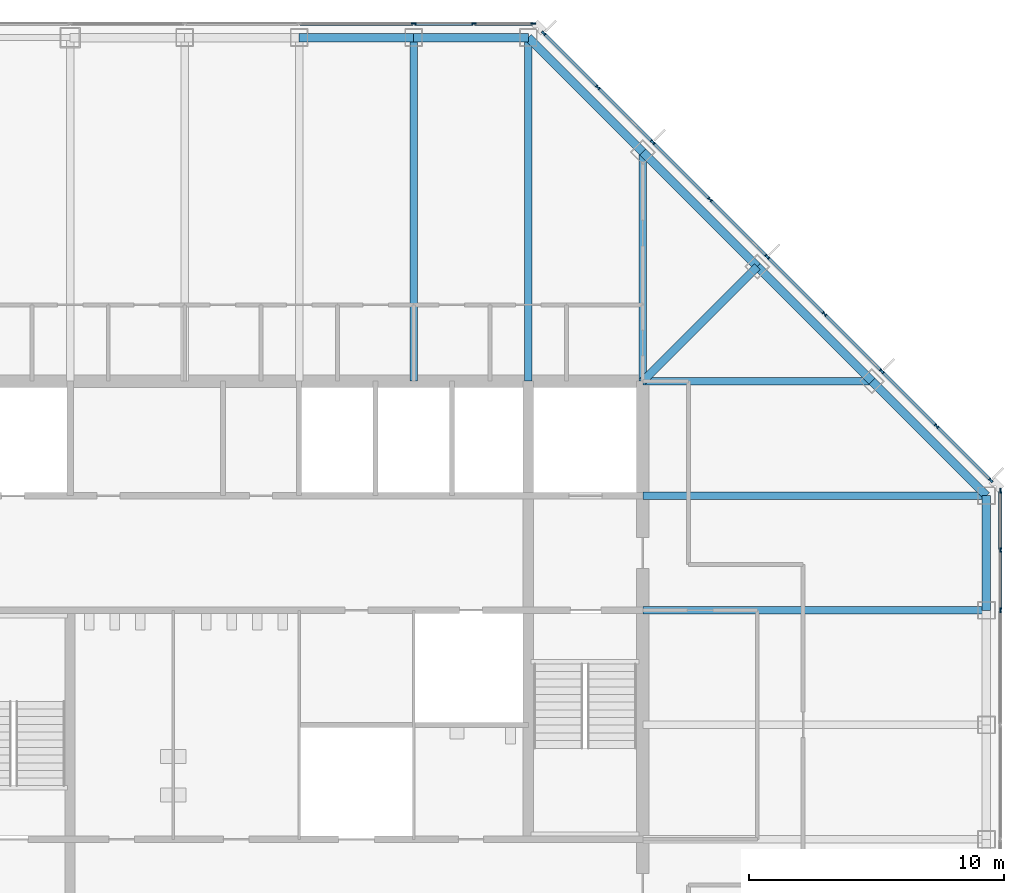
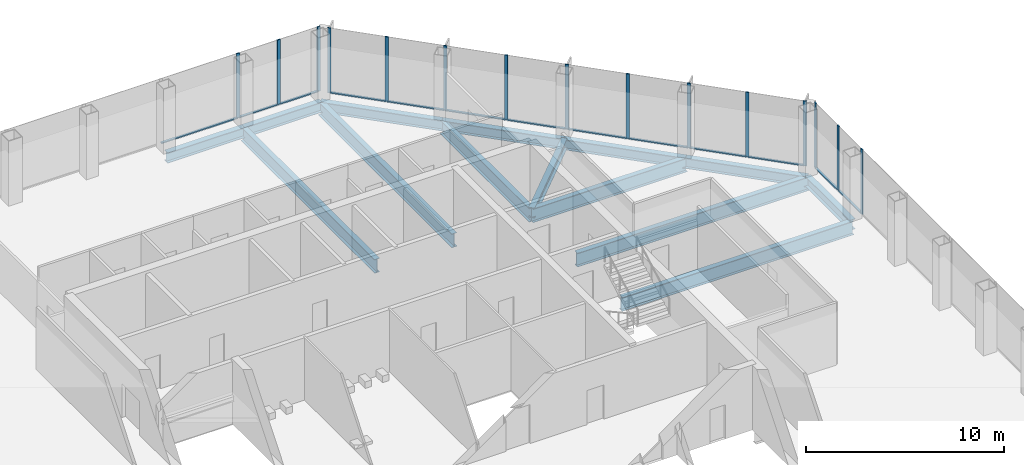
# One storey, part 6 of 12: 28 members, 14 beams, 3 elements without a shape of their own.
"""IFC4 building model written with IfcOpenShell, lengths in metres."""

from ifc_helpers import new_model, si_unit, direction, frame, origin, origin_2d, place, context, subcontext, project, spatial, rectangle, i_section, extrude, material, material_profile, profile_set, type_object, element, aggregate, save


model = new_model("IFC4")

# Units and contexts
model_context = context("Model", 3, precision=1e-05, world=origin(), true_north=direction((0.0, 1.0)))
body_context = subcontext(model_context, "Body", "Model", "MODEL_VIEW")
ifc_project = project(units=[si_unit("LENGTHUNIT", "METRE"), si_unit("AREAUNIT", "SQUARE_METRE"), si_unit("VOLUMEUNIT", "CUBIC_METRE"), si_unit("PLANEANGLEUNIT", "RADIAN"), si_unit("MASSUNIT", "GRAM", prefix="KILO")], contexts=[model_context])

# Site, building, storey
site_placement = place(None, origin())
site = spatial("IfcSite", under=ifc_project, at=site_placement, CompositionType="ELEMENT")
building_placement = place(site_placement, origin())
building = spatial("IfcBuilding", under=site, at=building_placement, Name="Corais Broadcast Tower", CompositionType="ELEMENT")
storey_placement = place(building_placement, frame((0.0, 0.0, 163.60009765625)))
storey = spatial("IfcBuildingStorey", under=building, at=storey_placement, Name="L37", CompositionType="ELEMENT", Elevation=163.60009765625)

# Beams
ifc_material_1 = material(Name="Steel ASTM A572 Grade 50", Category="steel")
ifc_material_profile_1 = material_profile(ifc_material_1, i_section(OverallWidth=0.323974609375, OverallDepth=0.611083984375, WebThickness=0.0126953125, FlangeThickness=0.01904296875, at=origin_2d()), Name="W610x155")
ifc_profile_set_1 = profile_set([ifc_material_profile_1], Name="Steel ASTM A572 Grade 50")
beam_type_1 = type_object("IfcBeamType", Name="Corner diagonal W610x155", PredefinedType="BEAM", material=ifc_profile_set_1)
beam_1_placement = place(storey_placement, frame((45.0, 45.0, -0.465576171875), z_axis=(-0.707106781187, -0.707106781187, 0.0), x_axis=(0.707106781187, -0.707106781187, 0.0)))
element("IfcBeam", 1, at=beam_1_placement, inside=storey, type_object=beam_type_1, Name="B6 L/13 to K/12", PredefinedType="BEAM", context=body_context, shape_type="SweptSolid", body=[
    extrude(i_section(OverallWidth=0.323974609375, OverallDepth=0.611083984375, WebThickness=0.0126953125, FlangeThickness=0.01904296875, at=origin_2d()), origin(), (0.0, 0.0, 1.0), 6.364013671875),
])
ifc_material_2 = material(Name="Steel ASTM A572 Grade 50", Category="steel")
ifc_material_profile_2 = material_profile(ifc_material_2, i_section(OverallWidth=0.2939453125, OverallDepth=0.85107421875, WebThickness=0.01611328125, FlangeThickness=0.02685546875, at=origin_2d()), Name="W840x226")
ifc_profile_set_2 = profile_set([ifc_material_profile_2], Name="Steel ASTM A572 Grade 50")
beam_type_2 = type_object("IfcBeamType", Name="Floor beam W840x226", PredefinedType="BEAM", material=ifc_profile_set_2)
for number, where, z_axis, x_axis, name in (
    (2, (31.5, 54.0, -0.585693359375), (0.0, -1.0, 0.0), (1.0, 0.0, 0.0), "B1 N/10 to K/10"),
    (3, (36.0, 54.0, -0.585693359375), (0.0, -1.0, 0.0), (1.0, 0.0, 0.0), "B1 N/11 to K/11"),
):
    element("IfcBeam", number, at=place(storey_placement, frame(where, z_axis=z_axis, x_axis=x_axis)), inside=storey, type_object=beam_type_2, Name=name, PredefinedType="BEAM", context=body_context, shape_type="SweptSolid", body=[
        extrude(i_section(OverallWidth=0.2939453125, OverallDepth=0.85107421875, WebThickness=0.01611328125, FlangeThickness=0.02685546875, at=origin_2d()), origin(), (0.0, 0.0, 1.0), 13.5),
    ])
for number, where, z_axis, x_axis, name in (
    (4, (40.5, 49.5, -0.585693359375), (0.0, -1.0, 0.0), (1.0, 0.0, 0.0), "B1 M/12 to K/12"),
    (5, (49.5, 40.5, -0.585693359375), (-1.0, 0.0, 0.0), (0.0, -1.0, 0.0), "B1 K/14 to K/12"),
):
    element("IfcBeam", number, at=place(storey_placement, frame(where, z_axis=z_axis, x_axis=x_axis)), inside=storey, type_object=beam_type_2, Name=name, PredefinedType="BEAM", context=body_context, shape_type="SweptSolid", body=[
        extrude(i_section(OverallWidth=0.2939453125, OverallDepth=0.85107421875, WebThickness=0.01611328125, FlangeThickness=0.02685546875, at=origin_2d()), origin(), (0.0, 0.0, 1.0), 9.0),
    ])
for number, where, z_axis, x_axis, name in (
    (6, (54.0, 31.5, -0.585693359375), (-1.0, 0.0, 0.0), (0.0, -1.0, 0.0), "B1 H/15 to H/12"),
    (7, (54.0, 36.0, -0.585693359375), (-1.0, 0.0, 0.0), (0.0, -1.0, 0.0), "B1 J/15 to J/12"),
):
    element("IfcBeam", number, at=place(storey_placement, frame(where, z_axis=z_axis, x_axis=x_axis)), inside=storey, type_object=beam_type_2, Name=name, PredefinedType="BEAM", context=body_context, shape_type="SweptSolid", body=[
        extrude(i_section(OverallWidth=0.2939453125, OverallDepth=0.85107421875, WebThickness=0.01611328125, FlangeThickness=0.02685546875, at=origin_2d()), origin(), (0.0, 0.0, 1.0), 13.5),
    ])

# Curtain wall, members
ifc_material_3 = material(Name="Aluminium and glass", Category="aluminium")
curtain_wall_type = type_object("IfcCurtainWallType", Name="Unitised fritted curtain wall CW2", PredefinedType="NOTDEFINED", material=ifc_material_3)
curtain_wall_1_placement = place(storey_placement, origin())
curtain_wall_1 = element("IfcCurtainWall", 8, at=curtain_wall_1_placement, inside=storey, type_object=curtain_wall_type, Name="CW2 curtain wall L37 4", PredefinedType="NOTDEFINED")
ifc_material_4 = material(Name="Aluminium 6063-T6", Category="aluminium")
ifc_material_profile_3 = material_profile(ifc_material_4, rectangle(XDim=0.06494140625, YDim=0.179931640625, at=origin_2d()), Name="Mullion CW2 65x180")
ifc_profile_set_3 = profile_set([ifc_material_profile_3], Name="Aluminium 6063-T6")
member_type_1 = type_object("IfcMemberType", Name="Mullion CW2 65x180", PredefinedType="MULLION", material=ifc_profile_set_3)
member_1_placement = place(storey_placement, frame((31.5, 54.550048828125, 0.0), z_axis=(0.0, 0.0, 1.0), x_axis=(0.0, 1.0, 0.0)))
member_1 = element("IfcMember", 9, at=member_1_placement, type_object=member_type_1, Name="CW2 mullion 7", PredefinedType="MULLION", context=body_context, shape_type="SweptSolid", body=[
    extrude(rectangle(XDim=0.06494140625, YDim=0.179931640625, at=origin_2d()), origin(), (0.0, 0.0, 1.0), 4.0),
])
member_2_placement = place(storey_placement, frame((33.864013671875, 54.550048828125, 0.0), z_axis=(0.0, 0.0, 1.0), x_axis=(0.0, 1.0, 0.0)))
member_2 = element("IfcMember", 10, at=member_2_placement, type_object=member_type_1, Name="CW2 mullion 8", PredefinedType="MULLION", context=body_context, shape_type="SweptSolid", body=[
    extrude(rectangle(XDim=0.06494140625, YDim=0.179931640625, at=origin_2d()), origin(), (0.0, 0.0, 1.0), 4.0),
])
member_3_placement = place(storey_placement, frame((36.1953125, 54.550048828125, 0.0), z_axis=(0.0, 0.0, 1.0), x_axis=(0.0, 1.0, 0.0)))
member_3 = element("IfcMember", 11, at=member_3_placement, type_object=member_type_1, Name="CW2 mullion 9", PredefinedType="MULLION", context=body_context, shape_type="SweptSolid", body=[
    extrude(rectangle(XDim=0.06494140625, YDim=0.179931640625, at=origin_2d()), origin(), (0.0, 0.0, 1.0), 4.0),
])

curtain_wall_2_placement = place(storey_placement, origin())
curtain_wall_2 = element("IfcCurtainWall", 12, at=curtain_wall_2_placement, inside=storey, type_object=curtain_wall_type, Name="CW2 curtain wall L37 5", PredefinedType="NOTDEFINED")
member_4_placement = place(storey_placement, frame((36.6044921875, 54.17333984375, 0.0), z_axis=(0.0, 0.0, 1.0), x_axis=(0.707106781187, 0.707106781187, 0.0)))
member_4 = element("IfcMember", 13, at=member_4_placement, type_object=member_type_1, Name="CW2 mullion 1", PredefinedType="MULLION", context=body_context, shape_type="SweptSolid", body=[
    extrude(rectangle(XDim=0.06494140625, YDim=0.179931640625, at=origin_2d()), origin(), (0.0, 0.0, 1.0), 4.0),
])
member_5_placement = place(storey_placement, frame((38.735107421875, 52.042724609375, 0.0), z_axis=(0.0, 0.0, 1.0), x_axis=(0.707106781187, 0.707106781187, 0.0)))
member_5 = element("IfcMember", 14, at=member_5_placement, type_object=member_type_1, Name="CW2 mullion 2", PredefinedType="MULLION", context=body_context, shape_type="SweptSolid", body=[
    extrude(rectangle(XDim=0.06494140625, YDim=0.179931640625, at=origin_2d()), origin(), (0.0, 0.0, 1.0), 4.0),
])
member_6_placement = place(storey_placement, frame((40.888916015625, 49.888916015625, 0.0), z_axis=(0.0, 0.0, 1.0), x_axis=(0.707106781187, 0.707106781187, 0.0)))
member_6 = element("IfcMember", 15, at=member_6_placement, type_object=member_type_1, Name="CW2 mullion 3", PredefinedType="MULLION", context=body_context, shape_type="SweptSolid", body=[
    extrude(rectangle(XDim=0.06494140625, YDim=0.179931640625, at=origin_2d()), origin(), (0.0, 0.0, 1.0), 4.0),
])
member_7_placement = place(storey_placement, frame((43.138916015625, 47.638916015625, 0.0), z_axis=(0.0, 0.0, 1.0), x_axis=(0.707106781187, 0.707106781187, 0.0)))
member_7 = element("IfcMember", 16, at=member_7_placement, type_object=member_type_1, Name="CW2 mullion 4", PredefinedType="MULLION", context=body_context, shape_type="SweptSolid", body=[
    extrude(rectangle(XDim=0.06494140625, YDim=0.179931640625, at=origin_2d()), origin(), (0.0, 0.0, 1.0), 4.0),
])
member_8_placement = place(storey_placement, frame((45.388916015625, 45.388916015625, 0.0), z_axis=(0.0, 0.0, 1.0), x_axis=(0.707106781187, 0.707106781187, 0.0)))
member_8 = element("IfcMember", 17, at=member_8_placement, type_object=member_type_1, Name="CW2 mullion 5", PredefinedType="MULLION", context=body_context, shape_type="SweptSolid", body=[
    extrude(rectangle(XDim=0.06494140625, YDim=0.179931640625, at=origin_2d()), origin(), (0.0, 0.0, 1.0), 4.0),
])
member_9_placement = place(storey_placement, frame((47.638916015625, 43.138916015625, 0.0), z_axis=(0.0, 0.0, 1.0), x_axis=(0.707106781187, 0.707106781187, 0.0)))
member_9 = element("IfcMember", 18, at=member_9_placement, type_object=member_type_1, Name="CW2 mullion 6", PredefinedType="MULLION", context=body_context, shape_type="SweptSolid", body=[
    extrude(rectangle(XDim=0.06494140625, YDim=0.179931640625, at=origin_2d()), origin(), (0.0, 0.0, 1.0), 4.0),
])
member_10_placement = place(storey_placement, frame((49.888916015625, 40.888916015625, 0.0), z_axis=(0.0, 0.0, 1.0), x_axis=(0.707106781187, 0.707106781187, 0.0)))
member_10 = element("IfcMember", 19, at=member_10_placement, type_object=member_type_1, Name="CW2 mullion 7", PredefinedType="MULLION", context=body_context, shape_type="SweptSolid", body=[
    extrude(rectangle(XDim=0.06494140625, YDim=0.179931640625, at=origin_2d()), origin(), (0.0, 0.0, 1.0), 4.0),
])
member_11_placement = place(storey_placement, frame((52.042724609375, 38.735107421875, 0.0), z_axis=(0.0, 0.0, 1.0), x_axis=(0.707106781187, 0.707106781187, 0.0)))
member_11 = element("IfcMember", 20, at=member_11_placement, type_object=member_type_1, Name="CW2 mullion 8", PredefinedType="MULLION", context=body_context, shape_type="SweptSolid", body=[
    extrude(rectangle(XDim=0.06494140625, YDim=0.179931640625, at=origin_2d()), origin(), (0.0, 0.0, 1.0), 4.0),
])
member_12_placement = place(storey_placement, frame((54.17333984375, 36.6044921875, 0.0), z_axis=(0.0, 0.0, 1.0), x_axis=(0.707106781187, 0.707106781187, 0.0)))
member_12 = element("IfcMember", 21, at=member_12_placement, type_object=member_type_1, Name="CW2 mullion 9", PredefinedType="MULLION", context=body_context, shape_type="SweptSolid", body=[
    extrude(rectangle(XDim=0.06494140625, YDim=0.179931640625, at=origin_2d()), origin(), (0.0, 0.0, 1.0), 4.0),
])

curtain_wall_3_placement = place(storey_placement, origin())
curtain_wall_3 = element("IfcCurtainWall", 22, at=curtain_wall_3_placement, inside=storey, type_object=curtain_wall_type, Name="CW2 curtain wall L37 6", PredefinedType="NOTDEFINED")
member_13_placement = place(storey_placement, frame((54.550048828125, 36.1953125, 0.0), z_axis=(0.0, 0.0, 1.0), x_axis=(1.0, 0.0, 0.0)))
member_13 = element("IfcMember", 23, at=member_13_placement, type_object=member_type_1, Name="CW2 mullion 1", PredefinedType="MULLION", context=body_context, shape_type="SweptSolid", body=[
    extrude(rectangle(XDim=0.06494140625, YDim=0.179931640625, at=origin_2d()), origin(), (0.0, 0.0, 1.0), 4.0),
])
member_14_placement = place(storey_placement, frame((54.550048828125, 33.864013671875, 0.0), z_axis=(0.0, 0.0, 1.0), x_axis=(1.0, 0.0, 0.0)))
member_14 = element("IfcMember", 24, at=member_14_placement, type_object=member_type_1, Name="CW2 mullion 2", PredefinedType="MULLION", context=body_context, shape_type="SweptSolid", body=[
    extrude(rectangle(XDim=0.06494140625, YDim=0.179931640625, at=origin_2d()), origin(), (0.0, 0.0, 1.0), 4.0),
])
member_15_placement = place(storey_placement, frame((54.550048828125, 31.5, 0.0), z_axis=(0.0, 0.0, 1.0), x_axis=(1.0, 0.0, 0.0)))
member_15 = element("IfcMember", 25, at=member_15_placement, type_object=member_type_1, Name="CW2 mullion 3", PredefinedType="MULLION", context=body_context, shape_type="SweptSolid", body=[
    extrude(rectangle(XDim=0.06494140625, YDim=0.179931640625, at=origin_2d()), origin(), (0.0, 0.0, 1.0), 4.0),
])

# Beams
ifc_material_5 = material(Name="Steel ASTM A572 Grade 50", Category="steel")
ifc_material_profile_4 = material_profile(ifc_material_5, i_section(OverallWidth=0.3291015625, OverallDepth=0.635009765625, WebThickness=0.017822265625, FlangeThickness=0.031005859375, at=origin_2d()), Name="W610x241")
ifc_profile_set_4 = profile_set([ifc_material_profile_4], Name="Steel ASTM A572 Grade 50")
beam_type_3 = type_object("IfcBeamType", Name="Spandrel W610x241", PredefinedType="BEAM", material=ifc_profile_set_4)
for number, where, z_axis, x_axis, name in (
    (26, (31.5, 54.0, -0.4775390625), (-1.0, 0.0, 0.0), (0.0, -1.0, 0.0), "SB1 N/10 to N/9"),
    (27, (36.0, 54.0, -0.4775390625), (-1.0, 0.0, 0.0), (0.0, -1.0, 0.0), "SB1 N/11 to N/10"),
):
    element("IfcBeam", number, at=place(storey_placement, frame(where, z_axis=z_axis, x_axis=x_axis)), inside=storey, type_object=beam_type_3, Name=name, PredefinedType="BEAM", context=body_context, shape_type="SweptSolid", body=[
        extrude(i_section(OverallWidth=0.3291015625, OverallDepth=0.635009765625, WebThickness=0.017822265625, FlangeThickness=0.031005859375, at=origin_2d()), origin(), (0.0, 0.0, 1.0), 4.5),
    ])
for number, where, z_axis, x_axis, name in (
    (28, (40.5, 49.5, -0.4775390625), (-0.707106781187, 0.707106781187, 0.0), (-0.707106781187, -0.707106781187, 0.0), "SB1 M/12 to N/11"),
    (29, (45.0, 45.0, -0.4775390625), (-0.707106781187, 0.707106781187, 0.0), (-0.707106781187, -0.707106781187, 0.0), "SB1 L/13 to M/12"),
    (30, (49.5, 40.5, -0.4775390625), (-0.707106781187, 0.707106781187, 0.0), (-0.707106781187, -0.707106781187, 0.0), "SB1 K/14 to L/13"),
):
    element("IfcBeam", number, at=place(storey_placement, frame(where, z_axis=z_axis, x_axis=x_axis)), inside=storey, type_object=beam_type_3, Name=name, PredefinedType="BEAM", context=body_context, shape_type="SweptSolid", body=[
        extrude(i_section(OverallWidth=0.3291015625, OverallDepth=0.635009765625, WebThickness=0.017822265625, FlangeThickness=0.031005859375, at=origin_2d()), origin(), (0.0, 0.0, 1.0), 6.364013671875),
    ])
beam_2_placement = place(storey_placement, frame((54.0, 31.5, -0.4775390625), z_axis=(0.0, 1.0, 0.0), x_axis=(-1.0, 0.0, 0.0)))
element("IfcBeam", 31, at=beam_2_placement, inside=storey, type_object=beam_type_3, Name="SB1 H/15 to J/15", PredefinedType="BEAM", context=body_context, shape_type="SweptSolid", body=[
    extrude(i_section(OverallWidth=0.3291015625, OverallDepth=0.635009765625, WebThickness=0.017822265625, FlangeThickness=0.031005859375, at=origin_2d()), origin(), (0.0, 0.0, 1.0), 4.5),
])
beam_3_placement = place(storey_placement, frame((54.0, 36.0, -0.4775390625), z_axis=(-0.707106781187, 0.707106781187, 0.0), x_axis=(-0.707106781187, -0.707106781187, 0.0)))
element("IfcBeam", 32, at=beam_3_placement, inside=storey, type_object=beam_type_3, Name="SB1 J/15 to K/14", PredefinedType="BEAM", context=body_context, shape_type="SweptSolid", body=[
    extrude(i_section(OverallWidth=0.3291015625, OverallDepth=0.635009765625, WebThickness=0.017822265625, FlangeThickness=0.031005859375, at=origin_2d()), origin(), (0.0, 0.0, 1.0), 6.364013671875),
])

# Member
ifc_material_6 = material(Name="Aluminium 6063-T6", Category="aluminium")
ifc_material_profile_5 = material_profile(ifc_material_6, rectangle(XDim=0.1298828125, YDim=0.06494140625, at=origin_2d()), Name="Transom CW2 65x130")
ifc_profile_set_5 = profile_set([ifc_material_profile_5], Name="Aluminium 6063-T6")
member_type_2 = type_object("IfcMemberType", Name="Transom CW2 65x130", PredefinedType="USERDEFINED", material=ifc_profile_set_5)
member_16_placement = place(storey_placement, frame((27.032470703125, 54.550048828125, 0.032470703125), z_axis=(1.0, 0.0, 0.0), x_axis=(0.0, 1.0, 0.0)))
member_16 = element("IfcMember", 33, at=member_16_placement, type_object=member_type_2, Name="CW2 transom 6.1", ObjectType="TRANSOM", PredefinedType="USERDEFINED", context=body_context, shape_type="SweptSolid", body=[
    extrude(rectangle(XDim=0.1298828125, YDim=0.06494140625, at=origin_2d()), origin(), (0.0, 0.0, 1.0), 4.43505859375),
])

member_17_placement = place(storey_placement, frame((31.532470703125, 54.550048828125, 0.032470703125), z_axis=(1.0, 0.0, 0.0), x_axis=(0.0, 1.0, 0.0)))
member_17 = element("IfcMember", 34, at=member_17_placement, type_object=member_type_2, Name="CW2 transom 7.1", ObjectType="TRANSOM", PredefinedType="USERDEFINED", context=body_context, shape_type="SweptSolid", body=[
    extrude(rectangle(XDim=0.1298828125, YDim=0.06494140625, at=origin_2d()), origin(), (0.0, 0.0, 1.0), 2.298828125),
])

member_18_placement = place(storey_placement, frame((33.896484375, 54.550048828125, 0.032470703125), z_axis=(1.0, 0.0, 0.0), x_axis=(0.0, 1.0, 0.0)))
member_18 = element("IfcMember", 35, at=member_18_placement, type_object=member_type_2, Name="CW2 transom 8.1", ObjectType="TRANSOM", PredefinedType="USERDEFINED", context=body_context, shape_type="SweptSolid", body=[
    extrude(rectangle(XDim=0.1298828125, YDim=0.06494140625, at=origin_2d()), origin(), (0.0, 0.0, 1.0), 2.266357421875),
])

aggregate(curtain_wall_1, [member_1, member_2, member_3, member_16, member_17, member_18])

member_19_placement = place(storey_placement, frame((36.62744140625, 54.150390625, 0.032470703125), z_axis=(0.707106781187, -0.707106781187, 0.0), x_axis=(0.707106781187, 0.707106781187, 0.0)))
member_19 = element("IfcMember", 36, at=member_19_placement, type_object=member_type_2, Name="CW2 transom 1.1", ObjectType="TRANSOM", PredefinedType="USERDEFINED", context=body_context, shape_type="SweptSolid", body=[
    extrude(rectangle(XDim=0.1298828125, YDim=0.06494140625, at=origin_2d()), origin(), (0.0, 0.0, 1.0), 2.9482421875),
])

member_20_placement = place(storey_placement, frame((38.758056640625, 52.019775390625, 0.032470703125), z_axis=(0.707106781187, -0.707106781187, 0.0), x_axis=(0.707106781187, 0.707106781187, 0.0)))
member_20 = element("IfcMember", 37, at=member_20_placement, type_object=member_type_2, Name="CW2 transom 2.1", ObjectType="TRANSOM", PredefinedType="USERDEFINED", context=body_context, shape_type="SweptSolid", body=[
    extrude(rectangle(XDim=0.1298828125, YDim=0.06494140625, at=origin_2d()), origin(), (0.0, 0.0, 1.0), 2.98095703125),
])

member_21_placement = place(storey_placement, frame((40.911865234375, 49.865966796875, 0.032470703125), z_axis=(0.707106781187, -0.707106781187, 0.0), x_axis=(0.707106781187, 0.707106781187, 0.0)))
member_21 = element("IfcMember", 38, at=member_21_placement, type_object=member_type_2, Name="CW2 transom 3.1", ObjectType="TRANSOM", PredefinedType="USERDEFINED", context=body_context, shape_type="SweptSolid", body=[
    extrude(rectangle(XDim=0.1298828125, YDim=0.06494140625, at=origin_2d()), origin(), (0.0, 0.0, 1.0), 3.1171875),
])

member_22_placement = place(storey_placement, frame((43.161865234375, 47.615966796875, 0.032470703125), z_axis=(0.707106781187, -0.707106781187, 0.0), x_axis=(0.707106781187, 0.707106781187, 0.0)))
member_22 = element("IfcMember", 39, at=member_22_placement, type_object=member_type_2, Name="CW2 transom 4.1", ObjectType="TRANSOM", PredefinedType="USERDEFINED", context=body_context, shape_type="SweptSolid", body=[
    extrude(rectangle(XDim=0.1298828125, YDim=0.06494140625, at=origin_2d()), origin(), (0.0, 0.0, 1.0), 3.1171875),
])

member_23_placement = place(storey_placement, frame((45.411865234375, 45.365966796875, 0.032470703125), z_axis=(0.707106781187, -0.707106781187, 0.0), x_axis=(0.707106781187, 0.707106781187, 0.0)))
member_23 = element("IfcMember", 40, at=member_23_placement, type_object=member_type_2, Name="CW2 transom 5.1", ObjectType="TRANSOM", PredefinedType="USERDEFINED", context=body_context, shape_type="SweptSolid", body=[
    extrude(rectangle(XDim=0.1298828125, YDim=0.06494140625, at=origin_2d()), origin(), (0.0, 0.0, 1.0), 3.1171875),
])

member_24_placement = place(storey_placement, frame((47.661865234375, 43.115966796875, 0.032470703125), z_axis=(0.707106781187, -0.707106781187, 0.0), x_axis=(0.707106781187, 0.707106781187, 0.0)))
member_24 = element("IfcMember", 41, at=member_24_placement, type_object=member_type_2, Name="CW2 transom 6.1", ObjectType="TRANSOM", PredefinedType="USERDEFINED", context=body_context, shape_type="SweptSolid", body=[
    extrude(rectangle(XDim=0.1298828125, YDim=0.06494140625, at=origin_2d()), origin(), (0.0, 0.0, 1.0), 3.1171875),
])

member_25_placement = place(storey_placement, frame((49.911865234375, 40.865966796875, 0.032470703125), z_axis=(0.707065828661, -0.70714773134, 0.0), x_axis=(0.70714773134, 0.707065828661, 0.0)))
member_25 = element("IfcMember", 42, at=member_25_placement, type_object=member_type_2, Name="CW2 transom 7.1", ObjectType="TRANSOM", PredefinedType="USERDEFINED", context=body_context, shape_type="SweptSolid", body=[
    extrude(rectangle(XDim=0.1298828125, YDim=0.06494140625, at=origin_2d()), origin(), (0.0, 0.0, 1.0), 2.98095703125),
])

member_26_placement = place(storey_placement, frame((52.065673828125, 38.712158203125, 0.032470703125), z_axis=(0.707106781187, -0.707106781187, 0.0), x_axis=(0.707106781187, 0.707106781187, 0.0)))
member_26 = element("IfcMember", 43, at=member_26_placement, type_object=member_type_2, Name="CW2 transom 8.1", ObjectType="TRANSOM", PredefinedType="USERDEFINED", context=body_context, shape_type="SweptSolid", body=[
    extrude(rectangle(XDim=0.1298828125, YDim=0.06494140625, at=origin_2d()), origin(), (0.0, 0.0, 1.0), 2.9482421875),
])

aggregate(curtain_wall_2, [member_4, member_5, member_6, member_7, member_8, member_9, member_10, member_11, member_12, member_19, member_20, member_21, member_22, member_23, member_24, member_25, member_26])

member_27_placement = place(storey_placement, frame((54.550048828125, 36.162841796875, 0.032470703125), z_axis=(0.0, -1.0, 0.0), x_axis=(1.0, 0.0, 0.0)))
member_27 = element("IfcMember", 44, at=member_27_placement, type_object=member_type_2, Name="CW2 transom 1.1", ObjectType="TRANSOM", PredefinedType="USERDEFINED", context=body_context, shape_type="SweptSolid", body=[
    extrude(rectangle(XDim=0.1298828125, YDim=0.06494140625, at=origin_2d()), origin(), (0.0, 0.0, 1.0), 2.266357421875),
])

member_28_placement = place(storey_placement, frame((54.550048828125, 33.831298828125, 0.032470703125), z_axis=(0.0, -1.0, 0.0), x_axis=(1.0, 0.0, 0.0)))
member_28 = element("IfcMember", 45, at=member_28_placement, type_object=member_type_2, Name="CW2 transom 2.1", ObjectType="TRANSOM", PredefinedType="USERDEFINED", context=body_context, shape_type="SweptSolid", body=[
    extrude(rectangle(XDim=0.1298828125, YDim=0.06494140625, at=origin_2d()), origin(), (0.0, 0.0, 1.0), 2.298828125),
])

aggregate(curtain_wall_3, [member_13, member_14, member_15, member_27, member_28])

save(model, "model.ifc")
